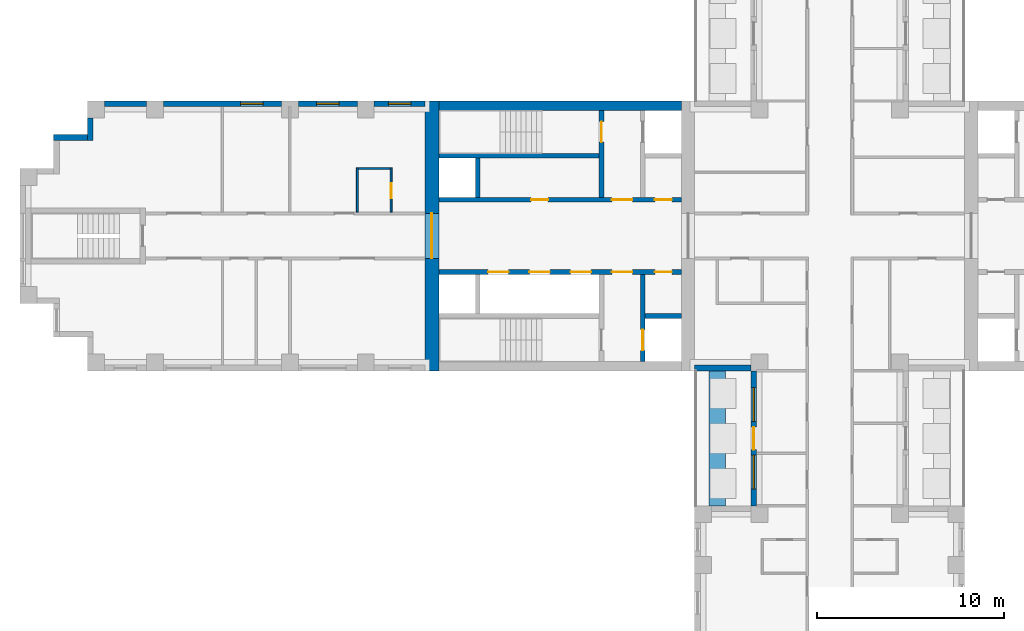
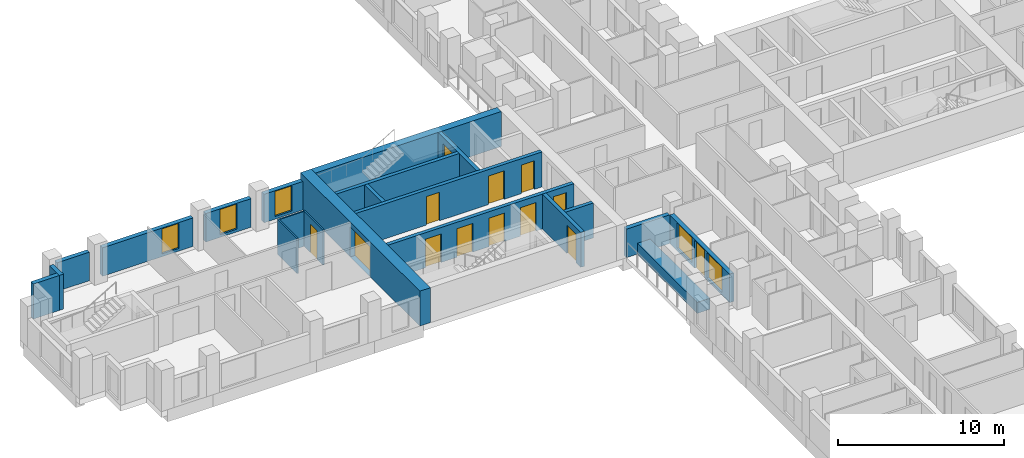
# One storey, part 6 of 15: 21 walls, 13 doors, 5 windows, 18 openings.
"""IFC4 building model written with IfcOpenShell, lengths in metres."""

from ifc_helpers import new_model, si_unit, direction, frame, frame_2d, origin, place, context, subcontext, project, spatial, rectangle, extrude, material, layer, layer_set, type_object, element, fill, save


model = new_model("IFC4")

# Units and contexts
model_context = context("Model", 3, precision=1e-05, world=origin(), true_north=direction((0.0, 1.0)))
body_context = subcontext(model_context, "Body", "Model", "MODEL_VIEW")
ifc_project = project(units=[si_unit("LENGTHUNIT", "METRE"), si_unit("AREAUNIT", "SQUARE_METRE"), si_unit("VOLUMEUNIT", "CUBIC_METRE"), si_unit("PLANEANGLEUNIT", "RADIAN"), si_unit("MASSUNIT", "GRAM", prefix="KILO")], contexts=[model_context])

# Site, building, storey
site_placement = place(None, origin())
site = spatial("IfcSite", under=ifc_project, at=site_placement, CompositionType="ELEMENT")
building_placement = place(site_placement, origin())
building = spatial("IfcBuilding", under=site, at=building_placement, Name="Fustian Cross Tower", CompositionType="ELEMENT")
storey_placement = place(building_placement, frame((0.0, 0.0, 35.699951171875)))
storey = spatial("IfcBuildingStorey", under=building, at=storey_placement, Name="L10", CompositionType="ELEMENT", Elevation=35.699951171875)

# Wall, opening, door
ifc_material_1 = material(Name="Concrete C80/95", Category="concrete")
ifc_layer_1 = layer(ifc_material_1, 0.75)
ifc_layer_set_1 = layer_set([ifc_layer_1], Name="Concrete C80/95")
wall_type_1 = type_object("IfcWallType", Name="CORE END WALL 750 C80/95", PredefinedType="SHEAR", material=ifc_layer_set_1)
wall_1_placement = place(storey_placement, frame((-21.22509765625, -7.199951171875, 0.0), z_axis=(0.0, 0.0, 1.0), x_axis=(0.0, 1.0, 0.0)))
wall_1 = element("IfcWall", 1, at=wall_1_placement, inside=storey, type_object=wall_type_1, Name="Core end wall", PredefinedType="SHEAR", context=body_context, shape_type="SweptSolid", body=[
    extrude(rectangle(XDim=14.39990234375, YDim=0.75, at=frame_2d((7.199951171875, 0.0))), origin(), (0.0, 0.0, 1.0), 2.574951171875),
])
opening_1_placement = place(wall_1_placement, frame((6.0, 0.0, 0.0)))
opening_1 = element("IfcOpeningElement", 2, at=opening_1_placement, cuts=wall_1, Name="Opening CD-04-27", PredefinedType="OPENING", context=body_context, shape_type="SweptSolid", body=[
    extrude(rectangle(XDim=2.39990234375, YDim=2.199951171875, at=frame_2d((1.199951171875, 1.10009765625))), frame((0.0, 0.385009765625, 0.0), z_axis=(0.0, -1.0, 0.0), x_axis=(1.0, 0.0, 0.0)), (0.0, 0.0, 1.0), 0.77001953125),
])
ifc_material_2 = material(Name="Steel", Category="steel")
door_type_1 = type_object("IfcDoorType", Name="FIRE DOOR FD30S DOUBLE 2400X2200", OperationType="DOUBLE_DOOR_DOUBLE_SWING", PredefinedType="DOOR", material=ifc_material_2)
door_1_placement = place(opening_1_placement, frame((2.39990234375, 0.0, 0.0), z_axis=(0.0, 0.0, 1.0), x_axis=(-1.0, 0.0, 0.0)))
door_1 = element("IfcDoor", 3, at=door_1_placement, inside=storey, type_object=door_type_1, Name="Core door CD-04-27", OperationType="DOUBLE_DOOR_DOUBLE_SWING", OverallHeight=2.199951171875, OverallWidth=2.39990234375, PredefinedType="DOOR", context=body_context, shape_type="SweptSolid", body=[
    extrude(rectangle(XDim=2.39990234375, YDim=2.199951171875, at=frame_2d((1.199951171875, 1.10009765625))), frame((0.0, 0.02490234375, 0.0), z_axis=(0.0, -1.0, 0.0), x_axis=(1.0, 0.0, 0.0)), (0.0, 0.0, 1.0), 0.050048828125),
])
fill(opening_1, door_1)

# Wall
ifc_material_3 = material(Name="Concrete C80/95", Category="concrete")
ifc_layer_2 = layer(ifc_material_3, 0.5)
ifc_layer_set_2 = layer_set([ifc_layer_2], Name="Concrete C80/95")
wall_type_2 = type_object("IfcWallType", Name="CORE FACADE WALL 500 C80/95", PredefinedType="SHEAR", material=ifc_layer_set_2)
wall_2_placement = place(storey_placement, frame((-7.89990234375, 6.949951171875, 0.0), z_axis=(0.0, 0.0, 1.0), x_axis=(-1.0, 0.0, 0.0)))
element("IfcWall", 4, at=wall_2_placement, inside=storey, type_object=wall_type_2, Name="Core facade wall", PredefinedType="SHEAR", context=body_context, shape_type="SweptSolid", body=[
    extrude(rectangle(XDim=12.9501953125, YDim=0.5, at=frame_2d((6.47509765625, 0.0))), origin(), (0.0, 0.0, 1.0), 2.574951171875),
])

# Wall, openings, doors
ifc_material_4 = material(Name="Concrete C50/60", Category="concrete")
ifc_layer_3 = layer(ifc_material_4, 0.25)
ifc_layer_set_3 = layer_set([ifc_layer_3], Name="Concrete C50/60")
wall_type_3 = type_object("IfcWallType", Name="CORE LOBBY WALL 250 C50/60", PredefinedType="SHEAR", material=ifc_layer_set_3)
wall_3_placement = place(storey_placement, frame((-7.89990234375, 1.925048828125, 0.0), z_axis=(0.0, 0.0, 1.0), x_axis=(-1.0, 0.0, 0.0)))
wall_3 = element("IfcWall", 5, at=wall_3_placement, inside=storey, type_object=wall_type_3, Name="Core lobby wall", PredefinedType="SHEAR", context=body_context, shape_type="SweptSolid", body=[
    extrude(rectangle(XDim=12.9501953125, YDim=0.25, at=frame_2d((6.47509765625, 0.0))), origin(), (0.0, 0.0, 1.0), 2.574951171875),
])
opening_2_placement = place(wall_3_placement, frame((0.52490234375, 0.0, 0.0)))
opening_2 = element("IfcOpeningElement", 6, at=opening_2_placement, cuts=wall_3, Name="Opening CD-04-22", PredefinedType="OPENING", context=body_context, shape_type="SweptSolid", body=[
    extrude(rectangle(XDim=0.89990234375, YDim=2.10009765625, at=frame_2d((0.449951171875, 1.050048828125))), frame((0.0, 0.135009765625, 0.0), z_axis=(0.0, -1.0, 0.0), x_axis=(1.0, 0.0, 0.0)), (0.0, 0.0, 1.0), 0.27001953125),
])
opening_3_placement = place(wall_3_placement, frame((2.625, 0.0, 0.0)))
opening_3 = element("IfcOpeningElement", 7, at=opening_3_placement, cuts=wall_3, Name="Opening CD-04-24", PredefinedType="OPENING", context=body_context, shape_type="SweptSolid", body=[
    extrude(rectangle(XDim=1.10009765625, YDim=2.10009765625, at=frame_2d((0.550048828125, 1.050048828125))), frame((0.0, 0.135009765625, 0.0), z_axis=(0.0, -1.0, 0.0), x_axis=(1.0, 0.0, 0.0)), (0.0, 0.0, 1.0), 0.27001953125),
])
opening_4_placement = place(wall_3_placement, frame((7.125, 0.0, 0.0)))
opening_4 = element("IfcOpeningElement", 8, at=opening_4_placement, cuts=wall_3, Name="Opening CD-04-28", PredefinedType="OPENING", context=body_context, shape_type="SweptSolid", body=[
    extrude(rectangle(XDim=0.89990234375, YDim=2.10009765625, at=frame_2d((0.449951171875, 1.050048828125))), frame((0.0, 0.135009765625, 0.0), z_axis=(0.0, -1.0, 0.0), x_axis=(1.0, 0.0, 0.0)), (0.0, 0.0, 1.0), 0.27001953125),
])
ifc_material_5 = material(Name="Steel", Category="steel")
door_type_2 = type_object("IfcDoorType", Name="FIRE DOOR FD30S 900X2100", OperationType="SINGLE_SWING_LEFT", PredefinedType="DOOR", material=ifc_material_5)
door_2_placement = place(opening_4_placement, frame((0.89990234375, 0.0, 0.0), z_axis=(0.0, 0.0, 1.0), x_axis=(-1.0, 0.0, 0.0)))
door_2 = element("IfcDoor", 9, at=door_2_placement, inside=storey, type_object=door_type_2, Name="Core door CD-04-28", OperationType="SINGLE_SWING_RIGHT", OverallHeight=2.10009765625, OverallWidth=0.89990234375, PredefinedType="DOOR", context=body_context, shape_type="SweptSolid", body=[
    extrude(rectangle(XDim=0.89990234375, YDim=2.10009765625, at=frame_2d((0.449951171875, 1.050048828125))), frame((0.0, 0.02490234375, 0.0), z_axis=(0.0, -1.0, 0.0), x_axis=(1.0, 0.0, 0.0)), (0.0, 0.0, 1.0), 0.050048828125),
])
fill(opening_4, door_2)
ifc_material_6 = material(Name="Steel", Category="steel")
door_type_3 = type_object("IfcDoorType", Name="FIRE DOOR FD60S 1100X2100", OperationType="SINGLE_SWING_LEFT", PredefinedType="DOOR", material=ifc_material_6)
door_3_placement = place(opening_3_placement, frame((1.10009765625, 0.0, 0.0), z_axis=(0.0, 0.0, 1.0), x_axis=(-1.0, 0.0, 0.0)))
door_3 = element("IfcDoor", 10, at=door_3_placement, inside=storey, type_object=door_type_3, Name="Core door CD-04-24", OperationType="SINGLE_SWING_RIGHT", OverallHeight=2.10009765625, OverallWidth=1.10009765625, PredefinedType="DOOR", context=body_context, shape_type="SweptSolid", body=[
    extrude(rectangle(XDim=1.10009765625, YDim=2.10009765625, at=frame_2d((0.550048828125, 1.050048828125))), frame((0.0, 0.02490234375, 0.0), z_axis=(0.0, -1.0, 0.0), x_axis=(1.0, 0.0, 0.0)), (0.0, 0.0, 1.0), 0.050048828125),
])
fill(opening_3, door_3)
ifc_material_7 = material(Name="Steel", Category="steel")
door_type_4 = type_object("IfcDoorType", Name="FIRE DOOR FD60S 900X2100", OperationType="SINGLE_SWING_LEFT", PredefinedType="DOOR", material=ifc_material_7)
door_4_placement = place(opening_2_placement, frame((0.89990234375, 0.0, 0.0), z_axis=(0.0, 0.0, 1.0), x_axis=(-1.0, 0.0, 0.0)))
door_4 = element("IfcDoor", 11, at=door_4_placement, inside=storey, type_object=door_type_4, Name="Core door CD-04-22", OperationType="SINGLE_SWING_RIGHT", OverallHeight=2.10009765625, OverallWidth=0.89990234375, PredefinedType="DOOR", context=body_context, shape_type="SweptSolid", body=[
    extrude(rectangle(XDim=0.89990234375, YDim=2.10009765625, at=frame_2d((0.449951171875, 1.050048828125))), frame((0.0, 0.02490234375, 0.0), z_axis=(0.0, -1.0, 0.0), x_axis=(1.0, 0.0, 0.0)), (0.0, 0.0, 1.0), 0.050048828125),
])
fill(opening_2, door_4)

wall_4_placement = place(storey_placement, frame((-7.89990234375, -1.925048828125, 0.0), z_axis=(0.0, 0.0, 1.0), x_axis=(-1.0, 0.0, 0.0)))
wall_4 = element("IfcWall", 12, at=wall_4_placement, inside=storey, type_object=wall_type_3, Name="Core lobby wall", PredefinedType="SHEAR", context=body_context, shape_type="SweptSolid", body=[
    extrude(rectangle(XDim=12.9501953125, YDim=0.25, at=frame_2d((6.47509765625, 0.0))), origin(), (0.0, 0.0, 1.0), 2.574951171875),
])
opening_5_placement = place(wall_4_placement, frame((4.824951171875, 0.0, 0.0)))
opening_5 = element("IfcOpeningElement", 13, at=opening_5_placement, cuts=wall_4, Name="Opening LD", PredefinedType="OPENING", context=body_context, shape_type="SweptSolid", body=[
    extrude(rectangle(XDim=1.10009765625, YDim=2.10009765625, at=frame_2d((0.550048828125, 1.050048828125))), frame((0.0, 0.135009765625, 0.0), z_axis=(0.0, -1.0, 0.0), x_axis=(1.0, 0.0, 0.0)), (0.0, 0.0, 1.0), 0.27001953125),
])
opening_6_placement = place(wall_4_placement, frame((7.02490234375, 0.0, 0.0)))
opening_6 = element("IfcOpeningElement", 14, at=opening_6_placement, cuts=wall_4, Name="Opening LD", PredefinedType="OPENING", context=body_context, shape_type="SweptSolid", body=[
    extrude(rectangle(XDim=1.10009765625, YDim=2.10009765625, at=frame_2d((0.550048828125, 1.050048828125))), frame((0.0, 0.135009765625, 0.0), z_axis=(0.0, -1.0, 0.0), x_axis=(1.0, 0.0, 0.0)), (0.0, 0.0, 1.0), 0.27001953125),
])
opening_7_placement = place(wall_4_placement, frame((9.22509765625, 0.0, 0.0)))
opening_7 = element("IfcOpeningElement", 15, at=opening_7_placement, cuts=wall_4, Name="Opening LD", PredefinedType="OPENING", context=body_context, shape_type="SweptSolid", body=[
    extrude(rectangle(XDim=1.10009765625, YDim=2.10009765625, at=frame_2d((0.550048828125, 1.050048828125))), frame((0.0, 0.135009765625, 0.0), z_axis=(0.0, -1.0, 0.0), x_axis=(1.0, 0.0, 0.0)), (0.0, 0.0, 1.0), 0.27001953125),
])
opening_8_placement = place(wall_4_placement, frame((0.52490234375, 0.0, 0.0)))
opening_8 = element("IfcOpeningElement", 16, at=opening_8_placement, cuts=wall_4, Name="Opening CD-04-23", PredefinedType="OPENING", context=body_context, shape_type="SweptSolid", body=[
    extrude(rectangle(XDim=0.89990234375, YDim=2.10009765625, at=frame_2d((0.449951171875, 1.050048828125))), frame((0.0, 0.135009765625, 0.0), z_axis=(0.0, -1.0, 0.0), x_axis=(1.0, 0.0, 0.0)), (0.0, 0.0, 1.0), 0.27001953125),
])
opening_9_placement = place(wall_4_placement, frame((2.625, 0.0, 0.0)))
opening_9 = element("IfcOpeningElement", 17, at=opening_9_placement, cuts=wall_4, Name="Opening CD-04-25", PredefinedType="OPENING", context=body_context, shape_type="SweptSolid", body=[
    extrude(rectangle(XDim=1.10009765625, YDim=2.10009765625, at=frame_2d((0.550048828125, 1.050048828125))), frame((0.0, 0.135009765625, 0.0), z_axis=(0.0, -1.0, 0.0), x_axis=(1.0, 0.0, 0.0)), (0.0, 0.0, 1.0), 0.27001953125),
])
ifc_material_8 = material(Name="Steel", Category="steel")
door_type_5 = type_object("IfcDoorType", Name="FIRE DOOR FD30S 1100X2100", OperationType="SINGLE_SWING_LEFT", PredefinedType="DOOR", material=ifc_material_8)
door_5_placement = place(opening_9_placement, frame((1.10009765625, 0.0, 0.0), z_axis=(0.0, 0.0, 1.0), x_axis=(-1.0, 0.0, 0.0)))
door_5 = element("IfcDoor", 18, at=door_5_placement, inside=storey, type_object=door_type_5, Name="Core door CD-04-25", OperationType="SINGLE_SWING_RIGHT", OverallHeight=2.10009765625, OverallWidth=1.10009765625, PredefinedType="DOOR", context=body_context, shape_type="SweptSolid", body=[
    extrude(rectangle(XDim=1.10009765625, YDim=2.10009765625, at=frame_2d((0.550048828125, 1.050048828125))), frame((0.0, 0.02490234375, 0.0), z_axis=(0.0, -1.0, 0.0), x_axis=(1.0, 0.0, 0.0)), (0.0, 0.0, 1.0), 0.050048828125),
])
fill(opening_9, door_5)
door_6_placement = place(opening_8_placement, origin())
door_6 = element("IfcDoor", 19, at=door_6_placement, inside=storey, type_object=door_type_2, Name="Core door CD-04-23", OperationType="SINGLE_SWING_LEFT", OverallHeight=2.10009765625, OverallWidth=0.89990234375, PredefinedType="DOOR", context=body_context, shape_type="SweptSolid", body=[
    extrude(rectangle(XDim=0.89990234375, YDim=2.10009765625, at=frame_2d((0.449951171875, 1.050048828125))), frame((0.0, 0.02490234375, 0.0), z_axis=(0.0, -1.0, 0.0), x_axis=(1.0, 0.0, 0.0)), (0.0, 0.0, 1.0), 0.050048828125),
])
fill(opening_8, door_6)
ifc_material_9 = material(Name="Stainless steel", Category="steel")
door_type_6 = type_object("IfcDoorType", Name="LIFT LANDING DOOR 1100X2100", OperationType="SLIDING_TO_LEFT", PredefinedType="DOOR", material=ifc_material_9)
door_7_placement = place(opening_5_placement, origin())
door_7 = element("IfcDoor", 20, at=door_7_placement, inside=storey, type_object=door_type_6, Name="Landing door LR1W", OperationType="SLIDING_TO_LEFT", OverallHeight=2.10009765625, OverallWidth=1.10009765625, PredefinedType="DOOR", context=body_context, shape_type="SweptSolid", body=[
    extrude(rectangle(XDim=1.10009765625, YDim=2.10009765625, at=frame_2d((0.550048828125, 1.050048828125))), frame((0.0, 0.02490234375, 0.0), z_axis=(0.0, -1.0, 0.0), x_axis=(1.0, 0.0, 0.0)), (0.0, 0.0, 1.0), 0.050048828125),
])
fill(opening_5, door_7)
door_8_placement = place(opening_6_placement, origin())
door_8 = element("IfcDoor", 21, at=door_8_placement, inside=storey, type_object=door_type_6, Name="Landing door LR2W", OperationType="SLIDING_TO_LEFT", OverallHeight=2.10009765625, OverallWidth=1.10009765625, PredefinedType="DOOR", context=body_context, shape_type="SweptSolid", body=[
    extrude(rectangle(XDim=1.10009765625, YDim=2.10009765625, at=frame_2d((0.550048828125, 1.050048828125))), frame((0.0, 0.02490234375, 0.0), z_axis=(0.0, -1.0, 0.0), x_axis=(1.0, 0.0, 0.0)), (0.0, 0.0, 1.0), 0.050048828125),
])
fill(opening_6, door_8)
door_9_placement = place(opening_7_placement, origin())
door_9 = element("IfcDoor", 22, at=door_9_placement, inside=storey, type_object=door_type_6, Name="Landing door LR3W", OperationType="SLIDING_TO_LEFT", OverallHeight=2.10009765625, OverallWidth=1.10009765625, PredefinedType="DOOR", context=body_context, shape_type="SweptSolid", body=[
    extrude(rectangle(XDim=1.10009765625, YDim=2.10009765625, at=frame_2d((0.550048828125, 1.050048828125))), frame((0.0, 0.02490234375, 0.0), z_axis=(0.0, -1.0, 0.0), x_axis=(1.0, 0.0, 0.0)), (0.0, 0.0, 1.0), 0.050048828125),
])
fill(opening_7, door_9)

# Wall
ifc_material_10 = material(Name="Concrete C50/60", Category="concrete")
ifc_layer_4 = layer(ifc_material_10, 0.25)
ifc_layer_set_4 = layer_set([ifc_layer_4], Name="Concrete C50/60")
wall_type_4 = type_object("IfcWallType", Name="CORE SHAFT WALL 250 C50/60", PredefinedType="SHEAR", material=ifc_layer_set_4)
wall_5_placement = place(storey_placement, frame((-12.300048828125, 4.27490234375, 0.0), z_axis=(0.0, 0.0, 1.0), x_axis=(-1.0, 0.0, 0.0)))
element("IfcWall", 23, at=wall_5_placement, inside=storey, type_object=wall_type_4, Name="Core shaft wall", PredefinedType="SHEAR", context=body_context, shape_type="SweptSolid", body=[
    extrude(rectangle(XDim=8.550048828125, YDim=0.25, at=frame_2d((4.27490234375, 0.0))), origin(), (0.0, 0.0, 1.0), 2.574951171875),
])

# Wall, opening, door
wall_6_placement = place(storey_placement, frame((-12.175048828125, 2.050048828125, 0.0), z_axis=(0.0, 0.0, 1.0), x_axis=(0.0, 1.0, 0.0)))
wall_6 = element("IfcWall", 24, at=wall_6_placement, inside=storey, type_object=wall_type_4, Name="Core shaft wall", PredefinedType="SHEAR", context=body_context, shape_type="SweptSolid", body=[
    extrude(rectangle(XDim=4.64990234375, YDim=0.25, at=frame_2d((2.324951171875, 0.0))), origin(), (0.0, 0.0, 1.0), 2.574951171875),
])
opening_10_placement = place(wall_6_placement, frame((2.949951171875, 0.0, 0.0)))
opening_10 = element("IfcOpeningElement", 25, at=opening_10_placement, cuts=wall_6, Name="Opening CD-04-20", PredefinedType="OPENING", context=body_context, shape_type="SweptSolid", body=[
    extrude(rectangle(XDim=1.10009765625, YDim=2.10009765625, at=frame_2d((0.550048828125, 1.050048828125))), frame((0.0, 0.135009765625, 0.0), z_axis=(0.0, -1.0, 0.0), x_axis=(1.0, 0.0, 0.0)), (0.0, 0.0, 1.0), 0.27001953125),
])
door_10_placement = place(opening_10_placement, origin())
door_10 = element("IfcDoor", 26, at=door_10_placement, inside=storey, type_object=door_type_3, Name="Core door CD-04-20", OperationType="SINGLE_SWING_LEFT", OverallHeight=2.10009765625, OverallWidth=1.10009765625, PredefinedType="DOOR", context=body_context, shape_type="SweptSolid", body=[
    extrude(rectangle(XDim=1.10009765625, YDim=2.10009765625, at=frame_2d((0.550048828125, 1.050048828125))), frame((0.0, 0.02490234375, 0.0), z_axis=(0.0, -1.0, 0.0), x_axis=(1.0, 0.0, 0.0)), (0.0, 0.0, 1.0), 0.050048828125),
])
fill(opening_10, door_10)

# Wall
wall_7_placement = place(storey_placement, frame((-7.89990234375, -4.27490234375, 0.0), z_axis=(0.0, 0.0, 1.0), x_axis=(-1.0, 0.0, 0.0)))
element("IfcWall", 27, at=wall_7_placement, inside=storey, type_object=wall_type_4, Name="Core shaft wall", PredefinedType="SHEAR", context=body_context, shape_type="SweptSolid", body=[
    extrude(rectangle(XDim=1.9501953125, YDim=0.25, at=frame_2d((0.97509765625, 0.0))), origin(), (0.0, 0.0, 1.0), 2.574951171875),
])

# Wall, opening, door
wall_8_placement = place(storey_placement, frame((-9.97509765625, -2.050048828125, 0.0), z_axis=(0.0, 0.0, 1.0), x_axis=(0.0, -1.0, 0.0)))
wall_8 = element("IfcWall", 28, at=wall_8_placement, inside=storey, type_object=wall_type_4, Name="Core shaft wall", PredefinedType="SHEAR", context=body_context, shape_type="SweptSolid", body=[
    extrude(rectangle(XDim=4.64990234375, YDim=0.25, at=frame_2d((2.324951171875, 0.0))), origin(), (0.0, 0.0, 1.0), 2.574951171875),
])
opening_11_placement = place(wall_8_placement, frame((2.949951171875, 0.0, 0.0)))
opening_11 = element("IfcOpeningElement", 29, at=opening_11_placement, cuts=wall_8, Name="Opening LD", PredefinedType="OPENING", context=body_context, shape_type="SweptSolid", body=[
    extrude(rectangle(XDim=1.10009765625, YDim=2.10009765625, at=frame_2d((0.550048828125, 1.050048828125))), frame((0.0, 0.135009765625, 0.0), z_axis=(0.0, -1.0, 0.0), x_axis=(1.0, 0.0, 0.0)), (0.0, 0.0, 1.0), 0.27001953125),
])
door_11_placement = place(opening_11_placement, origin())
door_11 = element("IfcDoor", 30, at=door_11_placement, inside=storey, type_object=door_type_6, Name="Landing door SV1W", OperationType="SLIDING_TO_LEFT", OverallHeight=2.10009765625, OverallWidth=1.10009765625, PredefinedType="DOOR", context=body_context, shape_type="SweptSolid", body=[
    extrude(rectangle(XDim=1.10009765625, YDim=2.10009765625, at=frame_2d((0.550048828125, 1.050048828125))), frame((0.0, 0.02490234375, 0.0), z_axis=(0.0, -1.0, 0.0), x_axis=(1.0, 0.0, 0.0)), (0.0, 0.0, 1.0), 0.050048828125),
])
fill(opening_11, door_11)

# Walls
ifc_material_11 = material(Name="Plasterboard on steel stud", Category="steel")
ifc_layer_5 = layer(ifc_material_11, 0.10009765625)
ifc_layer_set_5 = layer_set([ifc_layer_5], Name="Plasterboard on steel stud")
wall_type_5 = type_object("IfcWallType", Name="PARTITION 100 STUD", PredefinedType="PARTITIONING", material=ifc_layer_set_5)
wall_9_placement = place(storey_placement, frame((-25.199951171875, 1.27490234375, 0.0), z_axis=(0.0, 0.0, 1.0), x_axis=(0.0, 1.0, 0.0)))
element("IfcWall", 31, at=wall_9_placement, inside=storey, type_object=wall_type_5, Name="Partition 8", PredefinedType="PARTITIONING", context=body_context, shape_type="SweptSolid", body=[
    extrude(rectangle(XDim=2.375, YDim=0.10009765625, at=frame_2d((1.1875, 0.0))), origin(), (0.0, 0.0, 1.0), 2.574951171875),
])
wall_10_placement = place(storey_placement, frame((-25.14990234375, 3.60009765625, 0.0), z_axis=(0.0, 0.0, 1.0), x_axis=(1.0, 0.0, 0.0)))
element("IfcWall", 32, at=wall_10_placement, inside=storey, type_object=wall_type_5, Name="Partition 9", PredefinedType="PARTITIONING", context=body_context, shape_type="SweptSolid", body=[
    extrude(rectangle(XDim=1.699951171875, YDim=0.10009765625, at=frame_2d((0.85009765625, 0.0))), origin(), (0.0, 0.0, 1.0), 2.574951171875),
])

# Wall, opening, door
wall_11_placement = place(storey_placement, frame((-23.39990234375, 1.27490234375, 0.0), z_axis=(0.0, 0.0, 1.0), x_axis=(0.0, 1.0, 0.0)))
wall_11 = element("IfcWall", 33, at=wall_11_placement, inside=storey, type_object=wall_type_5, Name="Partition 10", PredefinedType="PARTITIONING", context=body_context, shape_type="SweptSolid", body=[
    extrude(rectangle(XDim=2.375, YDim=0.10009765625, at=frame_2d((1.1875, 0.0))), origin(), (0.0, 0.0, 1.0), 2.574951171875),
])
opening_12_placement = place(wall_11_placement, frame((0.72509765625, 0.0, 0.0)))
opening_12 = element("IfcOpeningElement", 34, at=opening_12_placement, cuts=wall_11, Name="Opening D07045", PredefinedType="OPENING", context=body_context, shape_type="SweptSolid", body=[
    extrude(rectangle(XDim=0.800048828125, YDim=2.10009765625, at=frame_2d((0.39990234375, 1.050048828125))), frame((0.0, 0.06005859375, 0.0), z_axis=(0.0, -1.0, 0.0), x_axis=(1.0, 0.0, 0.0)), (0.0, 0.0, 1.0), 0.1201171875),
])
ifc_material_12 = material(Name="Painted timber", Category="wood")
door_type_7 = type_object("IfcDoorType", Name="SWING DOOR 800", OperationType="SINGLE_SWING_LEFT", PredefinedType="DOOR", material=ifc_material_12)
door_12_placement = place(opening_12_placement, origin())
door_12 = element("IfcDoor", 35, at=door_12_placement, inside=storey, type_object=door_type_7, Name="Door D07045", OperationType="SINGLE_SWING_LEFT", OverallHeight=2.10009765625, OverallWidth=0.800048828125, PredefinedType="DOOR", context=body_context, shape_type="SweptSolid", body=[
    extrude(rectangle(XDim=0.800048828125, YDim=2.10009765625, at=frame_2d((0.39990234375, 1.050048828125))), frame((0.0, 0.02490234375, 0.0), z_axis=(0.0, -1.0, 0.0), x_axis=(1.0, 0.0, 0.0)), (0.0, 0.0, 1.0), 0.050048828125),
])
fill(opening_12, door_12)

# Walls
ifc_material_13 = material(Name="Concrete C40/50", Category="concrete")
ifc_layer_6 = layer(ifc_material_13, 0.89990234375)
ifc_layer_set_6 = layer_set([ifc_layer_6], Name="Concrete C40/50")
wall_type_6 = type_object("IfcWallType", Name="PK1 PLANTER 900", PredefinedType="PARAPET", material=ifc_layer_set_6)
wall_12_placement = place(storey_placement, frame((-6.0, -14.39990234375, 0.0), z_axis=(0.0, 0.0, 1.0), x_axis=(0.0, 1.0, 0.0)))
element("IfcWall", 36, at=wall_12_placement, inside=storey, type_object=wall_type_6, Name="PLANTER", PredefinedType="PARAPET", context=body_context, shape_type="SweptSolid", body=[
    extrude(rectangle(XDim=7.199951171875, YDim=0.89990234375, at=frame_2d((3.60009765625, 0.0))), origin(), (0.0, 0.0, 1.0), 0.800048828125),
])
ifc_material_14 = material(Name="Concrete C40/50", Category="concrete")
ifc_layer_7 = layer(ifc_material_14, 0.25)
ifc_layer_set_7 = layer_set([ifc_layer_7], Name="Concrete C40/50")
wall_type_7 = type_object("IfcWallType", Name="SHAFT PARTITION WALL 250 C40/50", PredefinedType="PARTITIONING", material=ifc_layer_set_7)
wall_13_placement = place(storey_placement, frame((-18.77490234375, 2.050048828125, 0.0), z_axis=(0.0, 0.0, 1.0), x_axis=(0.0, 1.0, 0.0)))
element("IfcWall", 37, at=wall_13_placement, inside=storey, type_object=wall_type_7, Name="Core shaft wall", PredefinedType="PARTITIONING", context=body_context, shape_type="SweptSolid", body=[
    extrude(rectangle(XDim=2.099853515625, YDim=0.25, at=frame_2d((1.0498046875, 0.0))), origin(), (0.0, 0.0, 1.0), 2.574951171875),
])

# Wall, opening, window
ifc_material_15 = material(Name="Dark aluminium cladding on insulated backing wall", Category="aluminium")
ifc_layer_8 = layer(ifc_material_15, 0.300048828125)
ifc_layer_set_8 = layer_set([ifc_layer_8], Name="Dark aluminium cladding on insulated backing wall")
wall_type_8 = type_object("IfcWallType", Name="XW1 EXTERNAL WALL 300", PredefinedType="SOLIDWALL", material=ifc_layer_set_8)
wall_14_placement = place(storey_placement, frame((-21.60009765625, 7.050048828125, 0.0), z_axis=(0.0, 0.0, 1.0), x_axis=(-1.0, 0.0, 0.0)))
wall_14 = element("IfcWall", 38, at=wall_14_placement, inside=storey, type_object=wall_type_8, Name="External wall", PredefinedType="SOLIDWALL", context=body_context, shape_type="SweptSolid", body=[
    extrude(rectangle(XDim=2.699951171875, YDim=0.300048828125, at=frame_2d((1.35009765625, 0.0))), origin(), (0.0, 0.0, 1.0), 2.10009765625),
])
opening_13_placement = place(wall_14_placement, frame((0.75, 0.0, 0.199951171875)))
opening_13 = element("IfcOpeningElement", 39, at=opening_13_placement, cuts=wall_14, Name="Opening WN3", PredefinedType="OPENING", context=body_context, shape_type="SweptSolid", body=[
    extrude(rectangle(XDim=1.199951171875, YDim=1.85009765625, at=frame_2d((0.60009765625, 0.925048828125))), frame((0.0, 0.159912109375, 0.0), z_axis=(0.0, -1.0, 0.0), x_axis=(1.0, 0.0, 0.0)), (0.0, 0.0, 1.0), 0.320068359375),
])
ifc_material_16 = material(Name="Dark anodised aluminium and double glazing", Category="aluminium")
window_type_1 = type_object("IfcWindowType", Name="WN3 WINDOW 1200X1850", PartitioningType="SINGLE_PANEL", PredefinedType="WINDOW", material=ifc_material_16)
window_1_placement = place(opening_13_placement, origin())
window_1 = element("IfcWindow", 40, at=window_1_placement, inside=storey, type_object=window_type_1, Name="Window", OverallHeight=1.85009765625, OverallWidth=1.199951171875, PartitioningType="SINGLE_PANEL", PredefinedType="WINDOW", context=body_context, shape_type="SweptSolid", body=[
    extrude(rectangle(XDim=1.199951171875, YDim=1.85009765625, at=frame_2d((0.60009765625, 0.925048828125))), frame((0.0, 0.030029296875, 0.0), z_axis=(0.0, -1.0, 0.0), x_axis=(1.0, 0.0, 0.0)), (0.0, 0.0, 1.0), 0.06005859375),
])
fill(opening_13, window_1)

wall_15_placement = place(storey_placement, frame((-25.199951171875, 7.050048828125, 0.0), z_axis=(0.0, 0.0, 1.0), x_axis=(-1.0, 0.0, 0.0)))
wall_15 = element("IfcWall", 41, at=wall_15_placement, inside=storey, type_object=wall_type_8, Name="External wall", PredefinedType="SOLIDWALL", context=body_context, shape_type="SweptSolid", body=[
    extrude(rectangle(XDim=3.150146484375, YDim=0.300048828125, at=frame_2d((1.5751953125, 0.0))), origin(), (0.0, 0.0, 1.0), 2.10009765625),
])
opening_14_placement = place(wall_15_placement, frame((0.97509765625, 0.0, 0.199951171875)))
opening_14 = element("IfcOpeningElement", 42, at=opening_14_placement, cuts=wall_15, Name="Opening WN3", PredefinedType="OPENING", context=body_context, shape_type="SweptSolid", body=[
    extrude(rectangle(XDim=1.199951171875, YDim=1.85009765625, at=frame_2d((0.60009765625, 0.925048828125))), frame((0.0, 0.159912109375, 0.0), z_axis=(0.0, -1.0, 0.0), x_axis=(1.0, 0.0, 0.0)), (0.0, 0.0, 1.0), 0.320068359375),
])
window_2_placement = place(opening_14_placement, origin())
window_2 = element("IfcWindow", 43, at=window_2_placement, inside=storey, type_object=window_type_1, Name="Window", OverallHeight=1.85009765625, OverallWidth=1.199951171875, PartitioningType="SINGLE_PANEL", PredefinedType="WINDOW", context=body_context, shape_type="SweptSolid", body=[
    extrude(rectangle(XDim=1.199951171875, YDim=1.85009765625, at=frame_2d((0.60009765625, 0.925048828125))), frame((0.0, 0.030029296875, 0.0), z_axis=(0.0, -1.0, 0.0), x_axis=(1.0, 0.0, 0.0)), (0.0, 0.0, 1.0), 0.06005859375),
])
fill(opening_14, window_2)

wall_16_placement = place(storey_placement, frame((-29.25, 7.050048828125, 0.0), z_axis=(0.0, 0.0, 1.0), x_axis=(-1.0, 0.0, 0.0)))
wall_16 = element("IfcWall", 44, at=wall_16_placement, inside=storey, type_object=wall_type_8, Name="External wall", PredefinedType="SOLIDWALL", context=body_context, shape_type="SweptSolid", body=[
    extrude(rectangle(XDim=6.300048828125, YDim=0.300048828125, at=frame_2d((3.14990234375, 0.0))), origin(), (0.0, 0.0, 1.0), 2.10009765625),
])
opening_15_placement = place(wall_16_placement, frame((0.97509765625, 0.0, 0.199951171875)))
opening_15 = element("IfcOpeningElement", 45, at=opening_15_placement, cuts=wall_16, Name="Opening WN3", PredefinedType="OPENING", context=body_context, shape_type="SweptSolid", body=[
    extrude(rectangle(XDim=1.199951171875, YDim=1.85009765625, at=frame_2d((0.60009765625, 0.925048828125))), frame((0.0, 0.159912109375, 0.0), z_axis=(0.0, -1.0, 0.0), x_axis=(1.0, 0.0, 0.0)), (0.0, 0.0, 1.0), 0.320068359375),
])
window_3_placement = place(opening_15_placement, origin())
window_3 = element("IfcWindow", 46, at=window_3_placement, inside=storey, type_object=window_type_1, Name="Window", OverallHeight=1.85009765625, OverallWidth=1.199951171875, PartitioningType="SINGLE_PANEL", PredefinedType="WINDOW", context=body_context, shape_type="SweptSolid", body=[
    extrude(rectangle(XDim=1.199951171875, YDim=1.85009765625, at=frame_2d((0.60009765625, 0.925048828125))), frame((0.0, 0.030029296875, 0.0), z_axis=(0.0, -1.0, 0.0), x_axis=(1.0, 0.0, 0.0)), (0.0, 0.0, 1.0), 0.06005859375),
])
fill(opening_15, window_3)

# Walls
wall_17_placement = place(storey_placement, frame((-36.449951171875, 7.050048828125, 0.0), z_axis=(0.0, 0.0, 1.0), x_axis=(-1.0, 0.0, 0.0)))
element("IfcWall", 47, at=wall_17_placement, inside=storey, type_object=wall_type_8, Name="External wall", PredefinedType="SOLIDWALL", context=body_context, shape_type="SweptSolid", body=[
    extrude(rectangle(XDim=2.25, YDim=0.300048828125, at=frame_2d((1.125, 0.0))), origin(), (0.0, 0.0, 1.0), 2.10009765625),
])
wall_18_placement = place(storey_placement, frame((-39.449951171875, 6.300048828125, 0.0), z_axis=(0.0, 0.0, 1.0), x_axis=(0.0, -1.0, 0.0)))
element("IfcWall", 48, at=wall_18_placement, inside=storey, type_object=wall_type_8, Name="External wall", PredefinedType="SOLIDWALL", context=body_context, shape_type="SweptSolid", body=[
    extrude(rectangle(XDim=1.199951171875, YDim=0.300048828125, at=frame_2d((0.60009765625, 0.0))), origin(), (0.0, 0.0, 1.0), 2.574951171875),
])
wall_19_placement = place(storey_placement, frame((-39.60009765625, 5.25, 0.0), z_axis=(0.0, 0.0, 1.0), x_axis=(-1.0, 0.0, 0.0)))
element("IfcWall", 49, at=wall_19_placement, inside=storey, type_object=wall_type_8, Name="External wall", PredefinedType="SOLIDWALL", context=body_context, shape_type="SweptSolid", body=[
    extrude(rectangle(XDim=1.7998046875, YDim=0.300048828125, at=frame_2d((0.89990234375, 0.0))), origin(), (0.0, 0.0, 1.0), 2.574951171875),
])
wall_20_placement = place(storey_placement, frame((-7.199951171875, -7.050048828125, 0.0), z_axis=(0.0, 0.0, 1.0), x_axis=(1.0, 0.0, 0.0)))
element("IfcWall", 50, at=wall_20_placement, inside=storey, type_object=wall_type_8, Name="External wall", PredefinedType="SOLIDWALL", context=body_context, shape_type="SweptSolid", body=[
    extrude(rectangle(XDim=3.0, YDim=0.300048828125, at=frame_2d((1.5, 0.0))), origin(), (0.0, 0.0, 1.0), 2.10009765625),
])

# Wall, openings, door, windows
wall_21_placement = place(storey_placement, frame((-4.050048828125, -7.199951171875, 0.0), z_axis=(0.0, 0.0, 1.0), x_axis=(0.0, -1.0, 0.0)))
wall_21 = element("IfcWall", 51, at=wall_21_placement, inside=storey, type_object=wall_type_8, Name="External wall", PredefinedType="SOLIDWALL", context=body_context, shape_type="SweptSolid", body=[
    extrude(rectangle(XDim=7.199951171875, YDim=0.300048828125, at=frame_2d((3.60009765625, 0.0))), origin(), (0.0, 0.0, 1.0), 2.10009765625),
])
opening_16_placement = place(wall_21_placement, frame((3.0, 0.0, 0.0)))
opening_16 = element("IfcOpeningElement", 52, at=opening_16_placement, cuts=wall_21, Name="Opening XD4", PredefinedType="OPENING", context=body_context, shape_type="SweptSolid", body=[
    extrude(rectangle(XDim=1.199951171875, YDim=2.050048828125, at=frame_2d((0.60009765625, 1.02490234375))), frame((0.0, 0.159912109375, 0.0), z_axis=(0.0, -1.0, 0.0), x_axis=(1.0, 0.0, 0.0)), (0.0, 0.0, 1.0), 0.320068359375),
])
opening_17_placement = place(wall_21_placement, frame((0.89990234375, 0.0, 0.199951171875)))
opening_17 = element("IfcOpeningElement", 53, at=opening_17_placement, cuts=wall_21, Name="Opening WN2", PredefinedType="OPENING", context=body_context, shape_type="SweptSolid", body=[
    extrude(rectangle(XDim=1.800048828125, YDim=1.85009765625, at=frame_2d((0.89990234375, 0.925048828125))), frame((0.0, 0.159912109375, 0.0), z_axis=(0.0, -1.0, 0.0), x_axis=(1.0, 0.0, 0.0)), (0.0, 0.0, 1.0), 0.320068359375),
])
opening_18_placement = place(wall_21_placement, frame((4.5, 0.0, 0.199951171875)))
opening_18 = element("IfcOpeningElement", 54, at=opening_18_placement, cuts=wall_21, Name="Opening WN2", PredefinedType="OPENING", context=body_context, shape_type="SweptSolid", body=[
    extrude(rectangle(XDim=1.800048828125, YDim=1.85009765625, at=frame_2d((0.89990234375, 0.925048828125))), frame((0.0, 0.159912109375, 0.0), z_axis=(0.0, -1.0, 0.0), x_axis=(1.0, 0.0, 0.0)), (0.0, 0.0, 1.0), 0.320068359375),
])
ifc_material_17 = material(Name="Dark anodised aluminium and double glazing", Category="aluminium")
door_type_8 = type_object("IfcDoorType", Name="ED1 BALCONY DOOR 1200X2050", OperationType="SINGLE_SWING_LEFT", PredefinedType="DOOR", material=ifc_material_17)
door_13_placement = place(opening_16_placement, origin())
door_13 = element("IfcDoor", 55, at=door_13_placement, inside=storey, type_object=door_type_8, Name="Balcony door", OperationType="SINGLE_SWING_LEFT", OverallHeight=2.050048828125, OverallWidth=1.199951171875, PredefinedType="DOOR", context=body_context, shape_type="SweptSolid", body=[
    extrude(rectangle(XDim=1.199951171875, YDim=2.050048828125, at=frame_2d((0.60009765625, 1.02490234375))), frame((0.0, 0.02490234375, 0.0), z_axis=(0.0, -1.0, 0.0), x_axis=(1.0, 0.0, 0.0)), (0.0, 0.0, 1.0), 0.050048828125),
])
fill(opening_16, door_13)
ifc_material_18 = material(Name="Dark anodised aluminium and double glazing", Category="aluminium")
window_type_2 = type_object("IfcWindowType", Name="WN2 WINDOW 1800X1850", PartitioningType="SINGLE_PANEL", PredefinedType="WINDOW", material=ifc_material_18)
window_4_placement = place(opening_17_placement, origin())
window_4 = element("IfcWindow", 56, at=window_4_placement, inside=storey, type_object=window_type_2, Name="Window", OverallHeight=1.85009765625, OverallWidth=1.800048828125, PartitioningType="SINGLE_PANEL", PredefinedType="WINDOW", context=body_context, shape_type="SweptSolid", body=[
    extrude(rectangle(XDim=1.800048828125, YDim=1.85009765625, at=frame_2d((0.89990234375, 0.925048828125))), frame((0.0, 0.030029296875, 0.0), z_axis=(0.0, -1.0, 0.0), x_axis=(1.0, 0.0, 0.0)), (0.0, 0.0, 1.0), 0.06005859375),
])
fill(opening_17, window_4)
window_5_placement = place(opening_18_placement, origin())
window_5 = element("IfcWindow", 57, at=window_5_placement, inside=storey, type_object=window_type_2, Name="Window", OverallHeight=1.85009765625, OverallWidth=1.800048828125, PartitioningType="SINGLE_PANEL", PredefinedType="WINDOW", context=body_context, shape_type="SweptSolid", body=[
    extrude(rectangle(XDim=1.800048828125, YDim=1.85009765625, at=frame_2d((0.89990234375, 0.925048828125))), frame((0.0, 0.030029296875, 0.0), z_axis=(0.0, -1.0, 0.0), x_axis=(1.0, 0.0, 0.0)), (0.0, 0.0, 1.0), 0.06005859375),
])
fill(opening_18, window_5)

save(model, "model.ifc")
